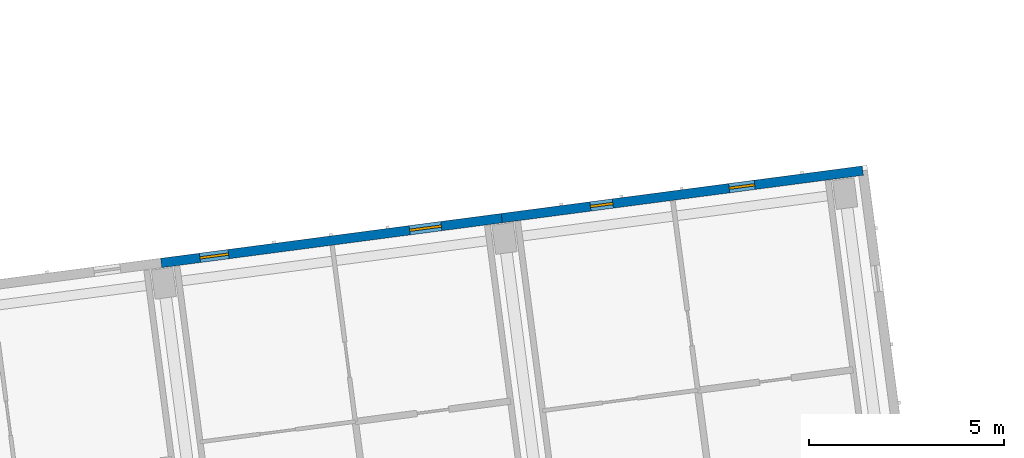
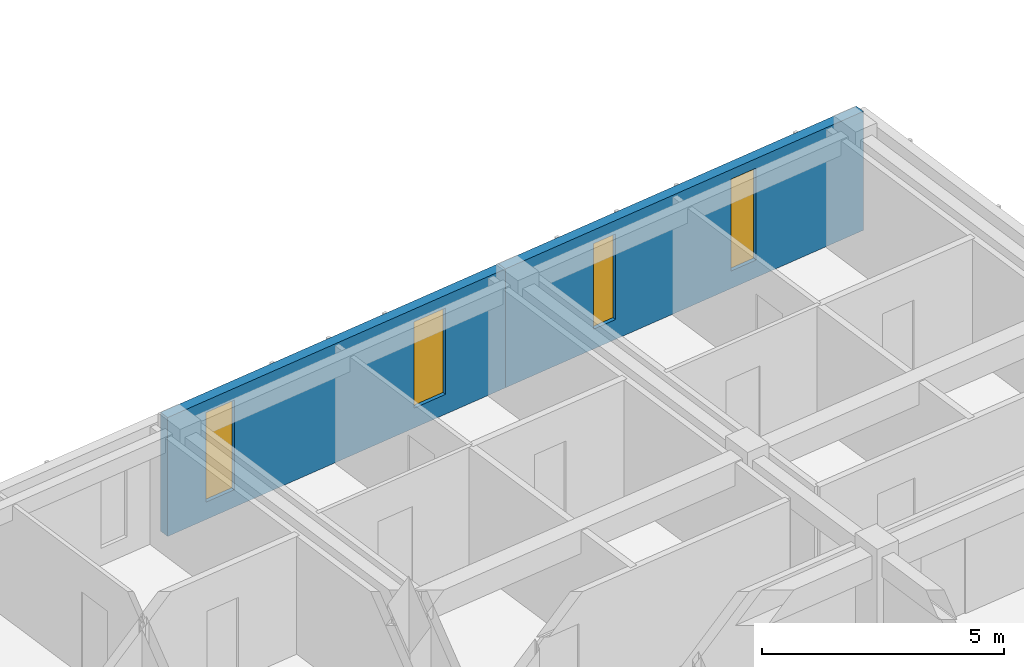
# One storey, part 31 of 66: 4 windows, 2 walls, 4 openings.
"""IFC4 building model written with IfcOpenShell, lengths in metres."""

from ifc_helpers import new_model, si_unit, direction, frame, frame_2d, origin, place, context, subcontext, project, spatial, rectangle, extrude, material, layer, layer_set, type_object, element, fill, save


model = new_model("IFC4")

# Units and contexts
model_context = context("Model", 3, precision=1e-05, world=origin(), true_north=direction((0.0, 1.0)))
body_context = subcontext(model_context, "Body", "Model", "MODEL_VIEW")
ifc_project = project(units=[si_unit("LENGTHUNIT", "METRE"), si_unit("AREAUNIT", "SQUARE_METRE"), si_unit("VOLUMEUNIT", "CUBIC_METRE"), si_unit("PLANEANGLEUNIT", "RADIAN"), si_unit("MASSUNIT", "GRAM", prefix="KILO")], contexts=[model_context])

# Site, building, storey
site_placement = place(None, origin())
site = spatial("IfcSite", under=ifc_project, at=site_placement, CompositionType="ELEMENT")
building_placement = place(site_placement, origin())
building = spatial("IfcBuilding", under=site, at=building_placement, Name="Kestramere Prow Commons", CompositionType="ELEMENT")
storey_placement = place(building_placement, frame((0.0, 0.0, 14.89990234375)))
storey = spatial("IfcBuildingStorey", under=building, at=storey_placement, Name="L04", CompositionType="ELEMENT", Elevation=14.89990234375)

# Wall, openings, windows
ifc_material_1 = material(Name="Fluoropolymer Standing-Seam Zinc-Aluminium Cladding", Category="aluminium")
ifc_layer = layer(ifc_material_1, 0.239990234375)
ifc_layer_set = layer_set([ifc_layer], Name="Fluoropolymer Standing-Seam Zinc-Aluminium Cladding")
wall_type = type_object("IfcWallType", Name="EW-SEAM-240", PredefinedType="SOLIDWALL", material=ifc_layer_set)
wall_1_placement = place(storey_placement, frame((43.419921875, 96.94384765625, 0.0), z_axis=(0.0, 0.0, 1.0), x_axis=(0.991443905089, 0.130533455715, 0.0)))
wall_1 = element("IfcWall", 1, at=wall_1_placement, inside=storey, type_object=wall_type, Name="Block A L04 North Standing-Seam Wall 5", PredefinedType="SOLIDWALL", context=body_context, shape_type="SweptSolid", body=[
    extrude(rectangle(XDim=8.7998046875, YDim=0.239990234375, at=frame_2d((4.39990234375, 0.0))), origin(), (0.0, 0.0, 1.0), 3.0),
])
opening_1_placement = place(wall_1_placement, frame((1.000732421875, 0.0, 0.43994140625)))
opening_1 = element("IfcOpeningElement", 2, at=opening_1_placement, cuts=wall_1, Name="Opening WN-09", PredefinedType="OPENING", context=body_context, shape_type="SweptSolid", body=[
    extrude(rectangle(XDim=0.739990234375, YDim=2.260009765625, at=frame_2d((0.3701171875, 1.1298828125))), frame((0.0, 0.135009765625, 0.0), z_axis=(0.0, -1.0, 0.0), x_axis=(1.0, 0.0, 0.0)), (0.0, 0.0, 1.0), 0.27001953125),
])
opening_2_placement = place(wall_1_placement, frame((6.41796875, 0.0, 0.5)))
opening_2 = element("IfcOpeningElement", 3, at=opening_2_placement, cuts=wall_1, Name="Opening WN-13", PredefinedType="OPENING", context=body_context, shape_type="SweptSolid", body=[
    extrude(rectangle(XDim=0.820068359375, YDim=2.179931640625, at=frame_2d((0.41015625, 1.08984375))), frame((0.0, 0.135009765625, 0.0), z_axis=(0.0, -1.0, 0.0), x_axis=(1.0, 0.0, 0.0)), (0.0, 0.0, 1.0), 0.27001953125),
])
ifc_material_2 = material(Name="Low-E Laminated Double Glazing", Category="glass")
window_type_1 = type_object("IfcWindowType", Name="WN-NAR-740A", PartitioningType="SINGLE_PANEL", PredefinedType="WINDOW", material=ifc_material_2)
window_1_placement = place(opening_1_placement, origin())
window_1 = element("IfcWindow", 4, at=window_1_placement, inside=storey, type_object=window_type_1, Name="WN-A-L04-N-4-0", OverallHeight=2.260009765625, OverallWidth=0.739990234375, PartitioningType="SINGLE_PANEL", PredefinedType="WINDOW", context=body_context, shape_type="SweptSolid", body=[
    extrude(rectangle(XDim=0.739990234375, YDim=2.260009765625, at=frame_2d((0.3701171875, 1.1298828125))), frame((0.0, 0.030029296875, 0.0), z_axis=(0.0, -1.0, 0.0), x_axis=(1.0, 0.0, 0.0)), (0.0, 0.0, 1.0), 0.06005859375),
])
fill(opening_1, window_1)
window_type_2 = type_object("IfcWindowType", Name="WN-NAR-820A", PartitioningType="DOUBLE_PANEL_VERTICAL", PredefinedType="WINDOW", material=ifc_material_2)
window_2_placement = place(opening_2_placement, origin())
window_2 = element("IfcWindow", 5, at=window_2_placement, inside=storey, type_object=window_type_2, Name="WN-A-L04-N-4-1", OverallHeight=2.179931640625, OverallWidth=0.820068359375, PartitioningType="SINGLE_PANEL", PredefinedType="WINDOW", context=body_context, shape_type="SweptSolid", body=[
    extrude(rectangle(XDim=0.820068359375, YDim=2.179931640625, at=frame_2d((0.41015625, 1.08984375))), frame((0.0, 0.030029296875, 0.0), z_axis=(0.0, -1.0, 0.0), x_axis=(1.0, 0.0, 0.0)), (0.0, 0.0, 1.0), 0.06005859375),
])
fill(opening_2, window_2)

wall_2_placement = place(storey_placement, frame((52.14453125, 98.092529296875, 0.0), z_axis=(0.0, 0.0, 1.0), x_axis=(0.991442885224, 0.130541201693, 0.0)))
wall_2 = element("IfcWall", 6, at=wall_2_placement, inside=storey, type_object=wall_type, Name="Block A L04 North Standing-Seam Wall 6", PredefinedType="SOLIDWALL", context=body_context, shape_type="SweptSolid", body=[
    extrude(rectangle(XDim=9.324951171875, YDim=0.239990234375, at=frame_2d((4.66259765625, 0.0))), origin(), (0.0, 0.0, 1.0), 3.0),
])
opening_3_placement = place(wall_2_placement, frame((2.287841796875, 0.0, 0.5)))
opening_3 = element("IfcOpeningElement", 7, at=opening_3_placement, cuts=wall_2, Name="Opening WN-01", PredefinedType="OPENING", context=body_context, shape_type="SweptSolid", body=[
    extrude(rectangle(XDim=0.580078125, YDim=2.159912109375, at=frame_2d((0.2900390625, 1.080078125))), frame((0.0, 0.135009765625, 0.0), z_axis=(0.0, -1.0, 0.0), x_axis=(1.0, 0.0, 0.0)), (0.0, 0.0, 1.0), 0.27001953125),
])
opening_4_placement = place(wall_2_placement, frame((5.872802734375, 0.0, 0.43994140625)))
opening_4 = element("IfcOpeningElement", 8, at=opening_4_placement, cuts=wall_2, Name="Opening WN-05", PredefinedType="OPENING", context=body_context, shape_type="SweptSolid", body=[
    extrude(rectangle(XDim=0.659912109375, YDim=2.320068359375, at=frame_2d((0.330078125, 1.16015625))), frame((0.0, 0.135009765625, 0.0), z_axis=(0.0, -1.0, 0.0), x_axis=(1.0, 0.0, 0.0)), (0.0, 0.0, 1.0), 0.27001953125),
])
window_type_3 = type_object("IfcWindowType", Name="WN-NAR-580A", PartitioningType="SINGLE_PANEL", PredefinedType="WINDOW", material=ifc_material_2)
window_3_placement = place(opening_3_placement, origin())
window_3 = element("IfcWindow", 9, at=window_3_placement, inside=storey, type_object=window_type_3, Name="WN-A-L04-N-5-0", OverallHeight=2.159912109375, OverallWidth=0.580078125, PartitioningType="SINGLE_PANEL", PredefinedType="WINDOW", context=body_context, shape_type="SweptSolid", body=[
    extrude(rectangle(XDim=0.580078125, YDim=2.159912109375, at=frame_2d((0.2900390625, 1.080078125))), frame((0.0, 0.030029296875, 0.0), z_axis=(0.0, -1.0, 0.0), x_axis=(1.0, 0.0, 0.0)), (0.0, 0.0, 1.0), 0.06005859375),
])
fill(opening_3, window_3)
window_type_4 = type_object("IfcWindowType", Name="WN-NAR-660A", PartitioningType="SINGLE_PANEL", PredefinedType="WINDOW", material=ifc_material_2)
window_4_placement = place(opening_4_placement, origin())
window_4 = element("IfcWindow", 10, at=window_4_placement, inside=storey, type_object=window_type_4, Name="WN-A-L04-N-5-1", OverallHeight=2.320068359375, OverallWidth=0.659912109375, PartitioningType="SINGLE_PANEL", PredefinedType="WINDOW", context=body_context, shape_type="SweptSolid", body=[
    extrude(rectangle(XDim=0.659912109375, YDim=2.320068359375, at=frame_2d((0.330078125, 1.16015625))), frame((0.0, 0.030029296875, 0.0), z_axis=(0.0, -1.0, 0.0), x_axis=(1.0, 0.0, 0.0)), (0.0, 0.0, 1.0), 0.06005859375),
])
fill(opening_4, window_4)

save(model, "model.ifc")
